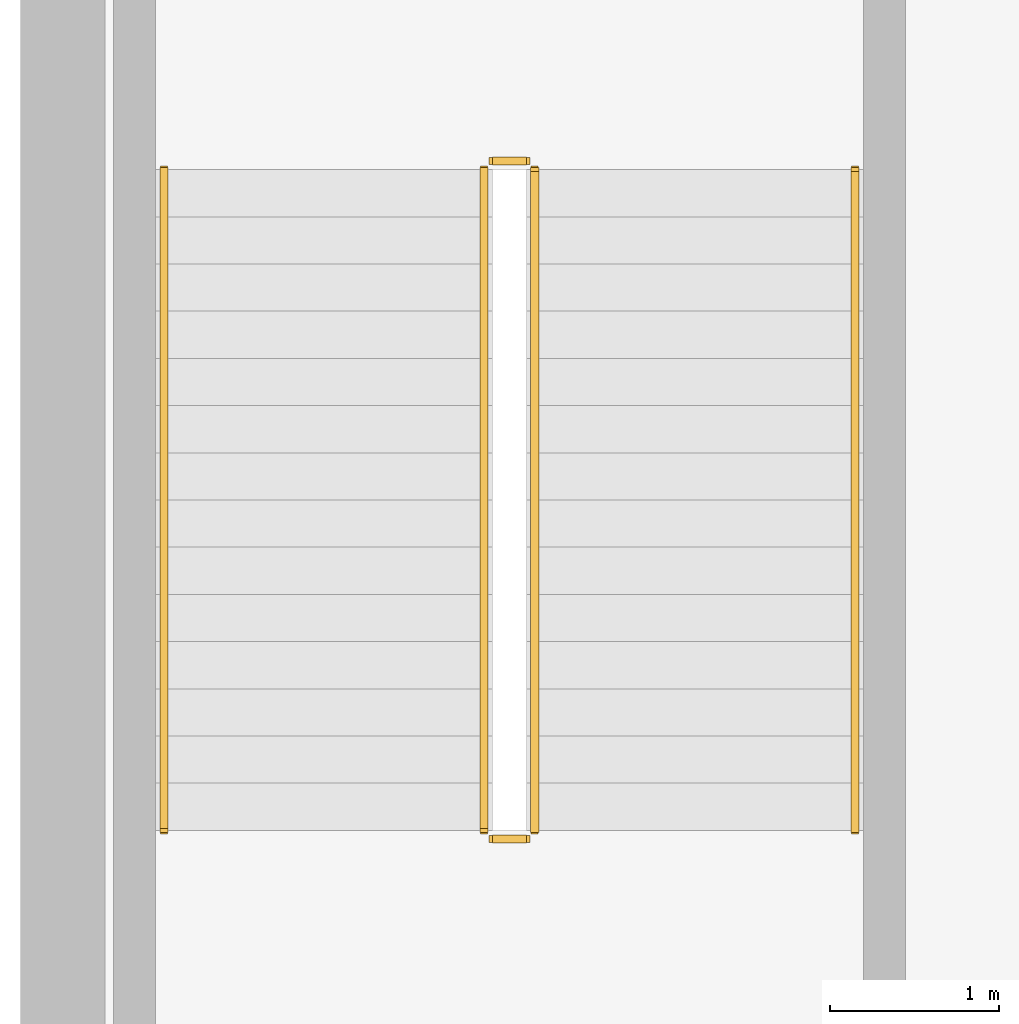
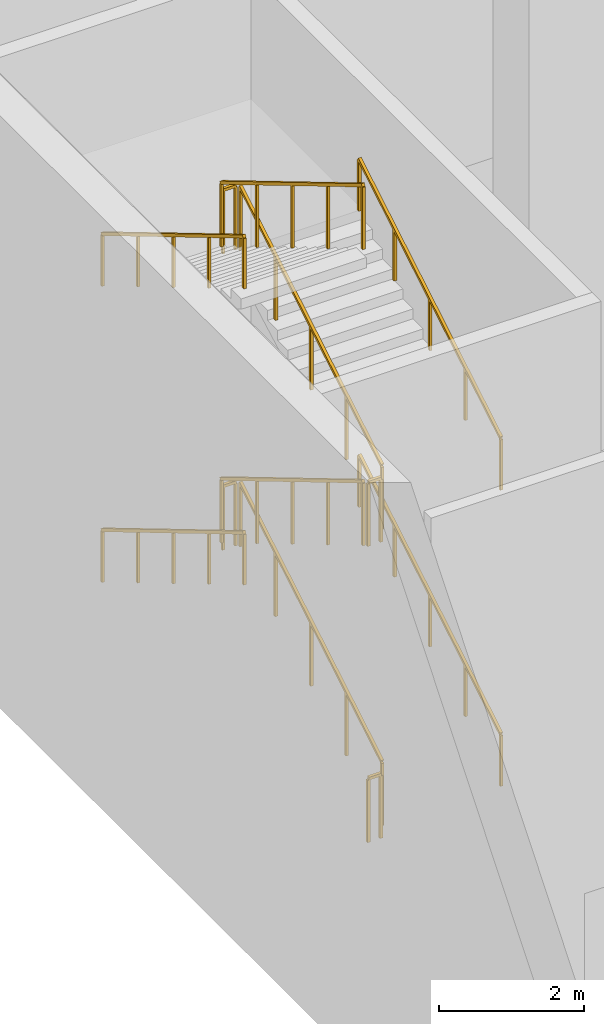
# One storey, part 14 of 16: 12 railings.
"""IFC4 building model written with IfcOpenShell, lengths in metres."""

from ifc_helpers import new_model, si_unit, direction, frame, origin, origin_2d, place, context, subcontext, project, spatial, rectangle, extrude, material, type_object, element, save


model = new_model("IFC4")

# Units and contexts
model_context = context("Model", 3, precision=1e-05, world=origin(), true_north=direction((0.0, 1.0)))
body_context = subcontext(model_context, "Body", "Model", "MODEL_VIEW")
ifc_project = project(units=[si_unit("LENGTHUNIT", "METRE"), si_unit("AREAUNIT", "SQUARE_METRE"), si_unit("VOLUMEUNIT", "CUBIC_METRE"), si_unit("PLANEANGLEUNIT", "RADIAN"), si_unit("MASSUNIT", "GRAM", prefix="KILO")], contexts=[model_context])

# Site, building, storey
site_placement = place(None, origin())
site = spatial("IfcSite", under=ifc_project, at=site_placement, CompositionType="ELEMENT")
building_placement = place(site_placement, origin())
building = spatial("IfcBuilding", under=site, at=building_placement, Name="Cypress Arch Tower", CompositionType="ELEMENT")
storey_placement = place(building_placement, frame((0.0, 0.0, 9.0)))
storey = spatial("IfcBuildingStorey", under=building, at=storey_placement, Name="L01", CompositionType="ELEMENT", Elevation=9.0)

# Railings
ifc_material_1 = material(Name="Black powder-coated steel square bar 48 mm", Category="steel")
railing_type_1 = type_object("IfcRailingType", Name="Stair handrail HR1", PredefinedType="HANDRAIL", material=ifc_material_1)
railing_1_placement = place(storey_placement, frame((18.949951171875, -2.5, 0.166748046875)))
element("IfcRailing", 1, at=railing_1_placement, inside=storey, type_object=railing_type_1, Name="L01 C stair handrail 1", PredefinedType="HANDRAIL", context=body_context, shape_type="SweptSolid", body=[
    extrude(rectangle(XDim=0.048095703125, YDim=0.048095703125, at=origin_2d()), frame((0.0, 0.0, 0.8759765625), z_axis=(0.0, 0.859296244711, 0.511478214419), x_axis=(-1.0, 0.0, 0.0)), (0.0, 0.0, 1.0), 4.561767578125),
    extrude(rectangle(XDim=0.0419921875, YDim=0.0419921875, at=origin_2d()), origin(), (0.0, 0.0, 1.0), 0.851806640625),
    extrude(rectangle(XDim=0.0419921875, YDim=0.0419921875, at=origin_2d()), frame((0.0, 0.97998046875, 0.583251953125)), (0.0, 0.0, 1.0), 0.851806640625),
    extrude(rectangle(XDim=0.0419921875, YDim=0.0419921875, at=origin_2d()), frame((0.0, 1.9599609375, 1.16650390625)), (0.0, 0.0, 1.0), 0.851806640625),
    extrude(rectangle(XDim=0.0419921875, YDim=0.0419921875, at=origin_2d()), frame((0.0, 2.93994140625, 1.75)), (0.0, 0.0, 1.0), 0.851806640625),
    extrude(rectangle(XDim=0.0419921875, YDim=0.0419921875, at=origin_2d()), frame((0.0, 3.919921875, 2.333251953125)), (0.0, 0.0, 1.0), 0.851806640625),
])
railing_2_placement = place(storey_placement, frame((14.85009765625, 1.419921875, 2.666748046875)))
element("IfcRailing", 2, at=railing_2_placement, inside=storey, type_object=railing_type_1, Name="L01 C stair handrail 2", PredefinedType="HANDRAIL", context=body_context, shape_type="SweptSolid", body=[
    extrude(rectangle(XDim=0.048095703125, YDim=0.048095703125, at=origin_2d()), frame((0.0, 0.0, 0.8759765625), z_axis=(0.0, -0.859296244711, 0.511478214419), x_axis=(1.0, 0.0, 0.0)), (0.0, 0.0, 1.0), 4.561767578125),
    extrude(rectangle(XDim=0.0419921875, YDim=0.0419921875, at=origin_2d()), origin(), (0.0, 0.0, 1.0), 0.851806640625),
    extrude(rectangle(XDim=0.0419921875, YDim=0.0419921875, at=origin_2d()), frame((0.0, -0.97998046875, 0.583251953125)), (0.0, 0.0, 1.0), 0.851806640625),
    extrude(rectangle(XDim=0.0419921875, YDim=0.0419921875, at=origin_2d()), frame((0.0, -1.9599609375, 1.16650390625)), (0.0, 0.0, 1.0), 0.851806640625),
    extrude(rectangle(XDim=0.0419921875, YDim=0.0419921875, at=origin_2d()), frame((0.0, -2.93994140625, 1.75)), (0.0, 0.0, 1.0), 0.851806640625),
    extrude(rectangle(XDim=0.0419921875, YDim=0.0419921875, at=origin_2d()), frame((0.0, -3.919921875, 2.333251953125)), (0.0, 0.0, 1.0), 0.851806640625),
])
railing_3_placement = place(storey_placement, frame((18.949951171875, -2.5, 5.166748046875)))
element("IfcRailing", 3, at=railing_3_placement, inside=storey, type_object=railing_type_1, Name="L01 C stair handrail 3", PredefinedType="HANDRAIL", context=body_context, shape_type="SweptSolid", body=[
    extrude(rectangle(XDim=0.048095703125, YDim=0.048095703125, at=origin_2d()), frame((0.0, 0.0, 0.8759765625), z_axis=(0.0, 0.859296244711, 0.511478214419), x_axis=(-1.0, 0.0, 0.0)), (0.0, 0.0, 1.0), 4.561767578125),
    extrude(rectangle(XDim=0.0419921875, YDim=0.0419921875, at=origin_2d()), origin(), (0.0, 0.0, 1.0), 0.851806640625),
    extrude(rectangle(XDim=0.0419921875, YDim=0.0419921875, at=origin_2d()), frame((0.0, 0.97998046875, 0.583251953125)), (0.0, 0.0, 1.0), 0.851806640625),
    extrude(rectangle(XDim=0.0419921875, YDim=0.0419921875, at=origin_2d()), frame((0.0, 1.9599609375, 1.16650390625)), (0.0, 0.0, 1.0), 0.851806640625),
    extrude(rectangle(XDim=0.0419921875, YDim=0.0419921875, at=origin_2d()), frame((0.0, 2.93994140625, 1.75)), (0.0, 0.0, 1.0), 0.851806640625),
    extrude(rectangle(XDim=0.0419921875, YDim=0.0419921875, at=origin_2d()), frame((0.0, 3.919921875, 2.333251953125)), (0.0, 0.0, 1.0), 0.851806640625),
])
railing_4_placement = place(storey_placement, frame((14.85009765625, 1.419921875, 7.666748046875)))
element("IfcRailing", 4, at=railing_4_placement, inside=storey, type_object=railing_type_1, Name="L01 C stair handrail 4", PredefinedType="HANDRAIL", context=body_context, shape_type="SweptSolid", body=[
    extrude(rectangle(XDim=0.048095703125, YDim=0.048095703125, at=origin_2d()), frame((0.0, 0.0, 0.8759765625), z_axis=(0.0, -0.859296244711, 0.511478214419), x_axis=(1.0, 0.0, 0.0)), (0.0, 0.0, 1.0), 4.561767578125),
    extrude(rectangle(XDim=0.0419921875, YDim=0.0419921875, at=origin_2d()), origin(), (0.0, 0.0, 1.0), 0.851806640625),
    extrude(rectangle(XDim=0.0419921875, YDim=0.0419921875, at=origin_2d()), frame((0.0, -0.97998046875, 0.583251953125)), (0.0, 0.0, 1.0), 0.851806640625),
    extrude(rectangle(XDim=0.0419921875, YDim=0.0419921875, at=origin_2d()), frame((0.0, -1.9599609375, 1.16650390625)), (0.0, 0.0, 1.0), 0.851806640625),
    extrude(rectangle(XDim=0.0419921875, YDim=0.0419921875, at=origin_2d()), frame((0.0, -2.93994140625, 1.75)), (0.0, 0.0, 1.0), 0.851806640625),
    extrude(rectangle(XDim=0.0419921875, YDim=0.0419921875, at=origin_2d()), frame((0.0, -3.919921875, 2.333251953125)), (0.0, 0.0, 1.0), 0.851806640625),
])
ifc_material_2 = material(Name="Black powder-coated steel balusters", Category="steel")
railing_type_2 = type_object("IfcRailingType", Name="Stair well guard G1", PredefinedType="GUARDRAIL", material=ifc_material_2)
railing_5_placement = place(storey_placement, frame((17.050048828125, -2.5, 0.166748046875)))
element("IfcRailing", 5, at=railing_5_placement, inside=storey, type_object=railing_type_2, Name="L01 C stair guard 1", PredefinedType="GUARDRAIL", context=body_context, shape_type="SweptSolid", body=[
    extrude(rectangle(XDim=0.048095703125, YDim=0.048095703125, at=origin_2d()), frame((0.0, 0.0, 1.076171875), z_axis=(0.0, 0.859296244711, 0.511478214419), x_axis=(-1.0, 0.0, 0.0)), (0.0, 0.0, 1.0), 4.561767578125),
    extrude(rectangle(XDim=0.0419921875, YDim=0.0419921875, at=origin_2d()), origin(), (0.0, 0.0, 1.0), 1.052001953125),
    extrude(rectangle(XDim=0.0419921875, YDim=0.0419921875, at=origin_2d()), frame((0.0, 0.97998046875, 0.583251953125)), (0.0, 0.0, 1.0), 1.052001953125),
    extrude(rectangle(XDim=0.0419921875, YDim=0.0419921875, at=origin_2d()), frame((0.0, 1.9599609375, 1.16650390625)), (0.0, 0.0, 1.0), 1.052001953125),
    extrude(rectangle(XDim=0.0419921875, YDim=0.0419921875, at=origin_2d()), frame((0.0, 2.93994140625, 1.75)), (0.0, 0.0, 1.0), 1.052001953125),
    extrude(rectangle(XDim=0.0419921875, YDim=0.0419921875, at=origin_2d()), frame((0.0, 3.919921875, 2.333251953125)), (0.0, 0.0, 1.0), 1.052001953125),
])
railing_6_placement = place(storey_placement, frame((17.0, 1.469970703125, 2.5)))
element("IfcRailing", 6, at=railing_6_placement, inside=storey, type_object=railing_type_2, Name="L01 C stair guard 2", PredefinedType="GUARDRAIL", context=body_context, shape_type="SweptSolid", body=[
    extrude(rectangle(XDim=0.048095703125, YDim=0.048095703125, at=origin_2d()), frame((0.0, 0.0, 1.076171875), z_axis=(-1.0, 0.0, 0.0), x_axis=(0.0, -1.0, 0.0)), (0.0, 0.0, 1.0), 0.199951171875),
    extrude(rectangle(XDim=0.0419921875, YDim=0.0419921875, at=origin_2d()), origin(), (0.0, 0.0, 1.0), 1.052001953125),
    extrude(rectangle(XDim=0.0419921875, YDim=0.0419921875, at=origin_2d()), frame((-0.199951171875, 0.0, 0.0)), (0.0, 0.0, 1.0), 1.052001953125),
])
railing_7_placement = place(storey_placement, frame((16.75, 1.419921875, 2.666748046875)))
element("IfcRailing", 7, at=railing_7_placement, inside=storey, type_object=railing_type_2, Name="L01 C stair guard 3", PredefinedType="GUARDRAIL", context=body_context, shape_type="SweptSolid", body=[
    extrude(rectangle(XDim=0.048095703125, YDim=0.048095703125, at=origin_2d()), frame((0.0, 0.0, 1.076171875), z_axis=(0.0, -0.859296244711, 0.511478214419), x_axis=(1.0, 0.0, 0.0)), (0.0, 0.0, 1.0), 4.561767578125),
    extrude(rectangle(XDim=0.0419921875, YDim=0.0419921875, at=origin_2d()), origin(), (0.0, 0.0, 1.0), 1.052001953125),
    extrude(rectangle(XDim=0.0419921875, YDim=0.0419921875, at=origin_2d()), frame((0.0, -0.97998046875, 0.583251953125)), (0.0, 0.0, 1.0), 1.052001953125),
    extrude(rectangle(XDim=0.0419921875, YDim=0.0419921875, at=origin_2d()), frame((0.0, -1.9599609375, 1.16650390625)), (0.0, 0.0, 1.0), 1.052001953125),
    extrude(rectangle(XDim=0.0419921875, YDim=0.0419921875, at=origin_2d()), frame((0.0, -2.93994140625, 1.75)), (0.0, 0.0, 1.0), 1.052001953125),
    extrude(rectangle(XDim=0.0419921875, YDim=0.0419921875, at=origin_2d()), frame((0.0, -3.919921875, 2.333251953125)), (0.0, 0.0, 1.0), 1.052001953125),
])
railing_8_placement = place(storey_placement, frame((17.0, -2.550048828125, 5.0)))
element("IfcRailing", 8, at=railing_8_placement, inside=storey, type_object=railing_type_2, Name="L01 C stair guard 4", PredefinedType="GUARDRAIL", context=body_context, shape_type="SweptSolid", body=[
    extrude(rectangle(XDim=0.048095703125, YDim=0.048095703125, at=origin_2d()), frame((0.0, 0.0, 1.076171875), z_axis=(-1.0, 0.0, 0.0), x_axis=(0.0, -1.0, 0.0)), (0.0, 0.0, 1.0), 0.199951171875),
    extrude(rectangle(XDim=0.0419921875, YDim=0.0419921875, at=origin_2d()), origin(), (0.0, 0.0, 1.0), 1.052001953125),
    extrude(rectangle(XDim=0.0419921875, YDim=0.0419921875, at=origin_2d()), frame((-0.199951171875, 0.0, 0.0)), (0.0, 0.0, 1.0), 1.052001953125),
])
railing_9_placement = place(storey_placement, frame((17.050048828125, -2.5, 5.166748046875)))
element("IfcRailing", 9, at=railing_9_placement, inside=storey, type_object=railing_type_2, Name="L01 C stair guard 5", PredefinedType="GUARDRAIL", context=body_context, shape_type="SweptSolid", body=[
    extrude(rectangle(XDim=0.048095703125, YDim=0.048095703125, at=origin_2d()), frame((0.0, 0.0, 1.076171875), z_axis=(0.0, 0.859296244711, 0.511478214419), x_axis=(-1.0, 0.0, 0.0)), (0.0, 0.0, 1.0), 4.561767578125),
    extrude(rectangle(XDim=0.0419921875, YDim=0.0419921875, at=origin_2d()), origin(), (0.0, 0.0, 1.0), 1.052001953125),
    extrude(rectangle(XDim=0.0419921875, YDim=0.0419921875, at=origin_2d()), frame((0.0, 0.97998046875, 0.583251953125)), (0.0, 0.0, 1.0), 1.052001953125),
    extrude(rectangle(XDim=0.0419921875, YDim=0.0419921875, at=origin_2d()), frame((0.0, 1.9599609375, 1.16650390625)), (0.0, 0.0, 1.0), 1.052001953125),
    extrude(rectangle(XDim=0.0419921875, YDim=0.0419921875, at=origin_2d()), frame((0.0, 2.93994140625, 1.75)), (0.0, 0.0, 1.0), 1.052001953125),
    extrude(rectangle(XDim=0.0419921875, YDim=0.0419921875, at=origin_2d()), frame((0.0, 3.919921875, 2.333251953125)), (0.0, 0.0, 1.0), 1.052001953125),
])
railing_10_placement = place(storey_placement, frame((17.0, 1.469970703125, 7.5)))
element("IfcRailing", 10, at=railing_10_placement, inside=storey, type_object=railing_type_2, Name="L01 C stair guard 6", PredefinedType="GUARDRAIL", context=body_context, shape_type="SweptSolid", body=[
    extrude(rectangle(XDim=0.048095703125, YDim=0.048095703125, at=origin_2d()), frame((0.0, 0.0, 1.076171875), z_axis=(-1.0, 0.0, 0.0), x_axis=(0.0, -1.0, 0.0)), (0.0, 0.0, 1.0), 0.199951171875),
    extrude(rectangle(XDim=0.0419921875, YDim=0.0419921875, at=origin_2d()), origin(), (0.0, 0.0, 1.0), 1.052001953125),
    extrude(rectangle(XDim=0.0419921875, YDim=0.0419921875, at=origin_2d()), frame((-0.199951171875, 0.0, 0.0)), (0.0, 0.0, 1.0), 1.052001953125),
])
railing_11_placement = place(storey_placement, frame((16.75, 1.419921875, 7.666748046875)))
element("IfcRailing", 11, at=railing_11_placement, inside=storey, type_object=railing_type_2, Name="L01 C stair guard 7", PredefinedType="GUARDRAIL", context=body_context, shape_type="SweptSolid", body=[
    extrude(rectangle(XDim=0.048095703125, YDim=0.048095703125, at=origin_2d()), frame((0.0, 0.0, 1.076171875), z_axis=(0.0, -0.859296244711, 0.511478214419), x_axis=(1.0, 0.0, 0.0)), (0.0, 0.0, 1.0), 4.561767578125),
    extrude(rectangle(XDim=0.0419921875, YDim=0.0419921875, at=origin_2d()), origin(), (0.0, 0.0, 1.0), 1.052001953125),
    extrude(rectangle(XDim=0.0419921875, YDim=0.0419921875, at=origin_2d()), frame((0.0, -0.97998046875, 0.583251953125)), (0.0, 0.0, 1.0), 1.052001953125),
    extrude(rectangle(XDim=0.0419921875, YDim=0.0419921875, at=origin_2d()), frame((0.0, -1.9599609375, 1.16650390625)), (0.0, 0.0, 1.0), 1.052001953125),
    extrude(rectangle(XDim=0.0419921875, YDim=0.0419921875, at=origin_2d()), frame((0.0, -2.93994140625, 1.75)), (0.0, 0.0, 1.0), 1.052001953125),
    extrude(rectangle(XDim=0.0419921875, YDim=0.0419921875, at=origin_2d()), frame((0.0, -3.919921875, 2.333251953125)), (0.0, 0.0, 1.0), 1.052001953125),
])
railing_12_placement = place(storey_placement, frame((17.0, -2.550048828125, 0.0)))
element("IfcRailing", 12, at=railing_12_placement, inside=storey, type_object=railing_type_2, Name="L01 C stair guard 8", PredefinedType="GUARDRAIL", context=body_context, shape_type="SweptSolid", body=[
    extrude(rectangle(XDim=0.048095703125, YDim=0.048095703125, at=origin_2d()), frame((0.0, 0.0, 1.076171875), z_axis=(-1.0, 0.0, 0.0), x_axis=(0.0, -1.0, 0.0)), (0.0, 0.0, 1.0), 0.199951171875),
    extrude(rectangle(XDim=0.0419921875, YDim=0.0419921875, at=origin_2d()), origin(), (0.0, 0.0, 1.0), 1.052001953125),
    extrude(rectangle(XDim=0.0419921875, YDim=0.0419921875, at=origin_2d()), frame((-0.199951171875, 0.0, 0.0)), (0.0, 0.0, 1.0), 1.052001953125),
])

save(model, "model.ifc")
